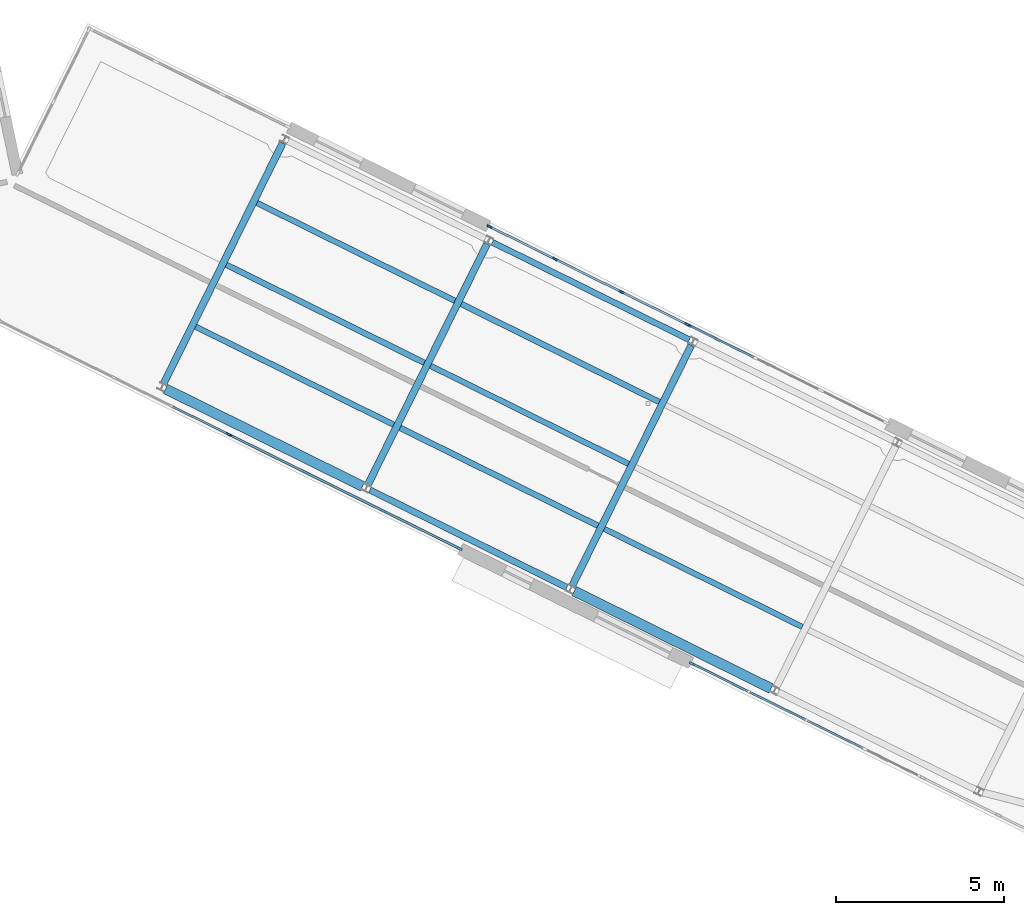
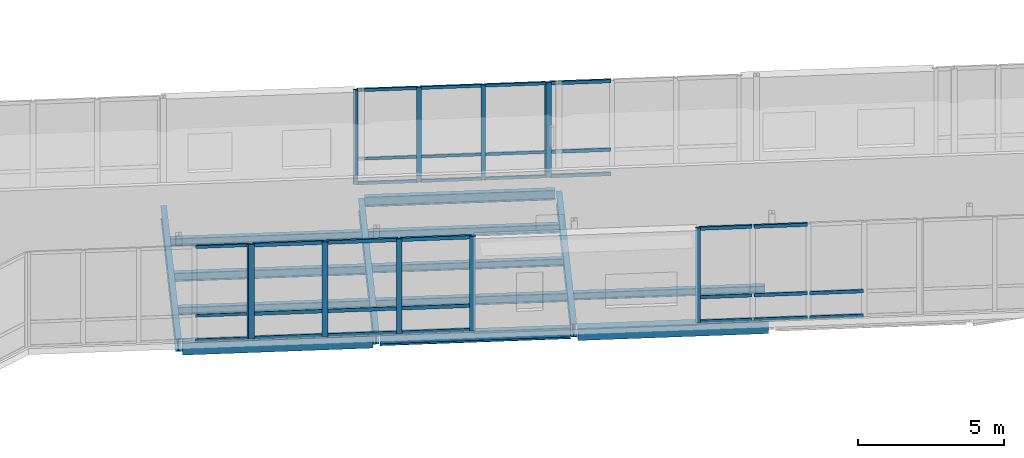
# One storey, part 66 of 125: 43 members, 14 beams, 5 elements without a shape of their own.
"""IFC4 building model written with IfcOpenShell, lengths in metres."""

from ifc_helpers import new_model, si_unit, direction, frame, origin, origin_2d, place, context, subcontext, project, spatial, rectangle, i_section, extrude, material, material_profile, profile_set, type_object, element, aggregate, save


model = new_model("IFC4")

# Units and contexts
model_context = context("Model", 3, precision=1e-05, world=origin(), true_north=direction((0.0, 1.0)))
body_context = subcontext(model_context, "Body", "Model", "MODEL_VIEW")
ifc_project = project(units=[si_unit("LENGTHUNIT", "METRE"), si_unit("AREAUNIT", "SQUARE_METRE"), si_unit("VOLUMEUNIT", "CUBIC_METRE"), si_unit("PLANEANGLEUNIT", "RADIAN"), si_unit("MASSUNIT", "GRAM", prefix="KILO")], contexts=[model_context])

# Site, building, storey
site_placement = place(None, origin())
site = spatial("IfcSite", under=ifc_project, at=site_placement, CompositionType="ELEMENT")
building_placement = place(site_placement, origin())
building = spatial("IfcBuilding", under=site, at=building_placement, Name="Wrenclough Park School", CompositionType="ELEMENT")
storey_placement = place(building_placement, frame((0.0, 0.0, 4.199951171875)))
storey = spatial("IfcBuildingStorey", under=building, at=storey_placement, Name="L01", CompositionType="ELEMENT", Elevation=4.199951171875)

# Curtain wall, members
ifc_material_1 = material(Name="Thermally broken aluminium and low-e glass curtain wall", Category="aluminium")
curtain_wall_type_1 = type_object("IfcCurtainWallType", Name="ENV-CW-16", PredefinedType="USERDEFINED", material=ifc_material_1)
curtain_wall_1_placement = place(storey_placement, origin())
curtain_wall_1 = element("IfcCurtainWall", 1, at=curtain_wall_1_placement, inside=storey, type_object=curtain_wall_type_1, Name="L01 recessed curtain wall assembly 111", ObjectType="CURTAIN WALL", PredefinedType="USERDEFINED")
ifc_material_2 = material(Name="Thermally broken anodised aluminium", Category="aluminium")
ifc_material_profile_1 = material_profile(ifc_material_2, rectangle(XDim=0.06005859375, YDim=0.159912109375, at=origin_2d()), Name="AL MULLION 60x160")
ifc_profile_set_1 = profile_set([ifc_material_profile_1], Name="Thermally broken anodised aluminium")
member_type_1 = type_object("IfcMemberType", Name="ENV-CWM-1", PredefinedType="MULLION", material=ifc_profile_set_1)
member_1_placement = place(storey_placement, frame((139.96533203125, 115.587890625, 0.0), z_axis=(0.0, 0.0, 1.0), x_axis=(0.443511318294, 0.896268771377, 0.0)))
member_1 = element("IfcMember", 2, at=member_1_placement, type_object=member_type_1, Name="CW-16 mullion 1", PredefinedType="MULLION", context=body_context, shape_type="SweptSolid", body=[
    extrude(rectangle(XDim=0.06005859375, YDim=0.159912109375, at=origin_2d()), origin(), (0.0, 0.0, 1.0), 3.93994140625),
])
member_2_placement = place(storey_placement, frame((141.909423828125, 114.625732421875, 0.0), z_axis=(0.0, 0.0, 1.0), x_axis=(0.443511318294, 0.896268771377, 0.0)))
member_2 = element("IfcMember", 3, at=member_2_placement, type_object=member_type_1, Name="CW-16 mullion 2", PredefinedType="MULLION", context=body_context, shape_type="SweptSolid", body=[
    extrude(rectangle(XDim=0.06005859375, YDim=0.159912109375, at=origin_2d()), origin(), (0.0, 0.0, 1.0), 3.93994140625),
])
member_3_placement = place(storey_placement, frame((143.880615234375, 113.650390625, 0.0), z_axis=(0.0, 0.0, 1.0), x_axis=(0.443511318294, 0.896268771377, 0.0)))
member_3 = element("IfcMember", 4, at=member_3_placement, type_object=member_type_1, Name="CW-16 mullion 3", PredefinedType="MULLION", context=body_context, shape_type="SweptSolid", body=[
    extrude(rectangle(XDim=0.06005859375, YDim=0.159912109375, at=origin_2d()), origin(), (0.0, 0.0, 1.0), 3.93994140625),
])
member_4_placement = place(storey_placement, frame((145.82470703125, 112.6884765625, 0.0), z_axis=(0.0, 0.0, 1.0), x_axis=(0.443511318294, 0.896268771377, 0.0)))
member_4 = element("IfcMember", 5, at=member_4_placement, type_object=member_type_1, Name="CW-16 mullion 4", PredefinedType="MULLION", context=body_context, shape_type="SweptSolid", body=[
    extrude(rectangle(XDim=0.06005859375, YDim=0.159912109375, at=origin_2d()), origin(), (0.0, 0.0, 1.0), 3.93994140625),
])

# Curtain wall, member
curtain_wall_type_2 = type_object("IfcCurtainWallType", Name="ENV-CW-03", PredefinedType="USERDEFINED", material=ifc_material_1)
curtain_wall_2_placement = place(storey_placement, origin())
curtain_wall_2 = element("IfcCurtainWall", 6, at=curtain_wall_2_placement, inside=storey, type_object=curtain_wall_type_2, Name="L01 recessed curtain wall assembly 162", ObjectType="CURTAIN WALL", PredefinedType="USERDEFINED")
member_5_placement = place(storey_placement, frame((132.21826171875, 109.42431640625, 0.0), z_axis=(0.0, 0.0, 1.0), x_axis=(-0.443514696909, -0.896267099488, 0.0)))
member_5 = element("IfcMember", 7, at=member_5_placement, type_object=member_type_1, Name="CW-03 mullion 1", PredefinedType="MULLION", context=body_context, shape_type="SweptSolid", body=[
    extrude(rectangle(XDim=0.06005859375, YDim=0.159912109375, at=origin_2d()), origin(), (0.0, 0.0, 1.0), 3.93994140625),
])

curtain_wall_type_3 = type_object("IfcCurtainWallType", Name="ENV-CW-01", PredefinedType="USERDEFINED", material=ifc_material_1)
curtain_wall_3_placement = place(storey_placement, origin())
curtain_wall_3 = element("IfcCurtainWall", 8, at=curtain_wall_3_placement, inside=storey, type_object=curtain_wall_type_3, Name="L01 recessed curtain wall assembly 112", ObjectType="CURTAIN WALL", PredefinedType="USERDEFINED")
ifc_material_profile_2 = material_profile(ifc_material_2, rectangle(XDim=0.06494140625, YDim=0.179931640625, at=origin_2d()), Name="AL MULLION 65x180")
ifc_profile_set_2 = profile_set([ifc_material_profile_2], Name="Thermally broken anodised aluminium")
member_type_2 = type_object("IfcMemberType", Name="ENV-CWM-2", PredefinedType="MULLION", material=ifc_profile_set_2)
member_6_placement = place(storey_placement, frame((145.887939453125, 112.656982421875, 0.0), z_axis=(0.0, 0.0, 1.0), x_axis=(0.443511318294, 0.896268771377, 0.0)))
member_6 = element("IfcMember", 9, at=member_6_placement, type_object=member_type_2, Name="CW-01 mullion 1", PredefinedType="MULLION", context=body_context, shape_type="SweptSolid", body=[
    extrude(rectangle(XDim=0.06494140625, YDim=0.179931640625, at=origin_2d()), origin(), (0.0, 0.0, 1.0), 3.93994140625),
])

curtain_wall_4_placement = place(storey_placement, origin())
curtain_wall_4 = element("IfcCurtainWall", 10, at=curtain_wall_4_placement, inside=storey, type_object=curtain_wall_type_3, Name="L01 recessed curtain wall assembly 160", ObjectType="CURTAIN WALL", PredefinedType="USERDEFINED")
member_7_placement = place(storey_placement, frame((145.976318359375, 102.616455078125, 0.0), z_axis=(0.0, 0.0, 1.0), x_axis=(-0.443504171144, -0.896272308051, 0.0)))
member_7 = element("IfcMember", 11, at=member_7_placement, type_object=member_type_2, Name="CW-01 mullion 5", PredefinedType="MULLION", context=body_context, shape_type="SweptSolid", body=[
    extrude(rectangle(XDim=0.06494140625, YDim=0.179931640625, at=origin_2d()), origin(), (0.0, 0.0, 1.0), 3.93994140625),
])

# Curtain wall, members
curtain_wall_type_4 = type_object("IfcCurtainWallType", Name="ENV-CW-02", PredefinedType="USERDEFINED", material=ifc_material_1)
curtain_wall_5_placement = place(storey_placement, origin())
curtain_wall_5 = element("IfcCurtainWall", 12, at=curtain_wall_5_placement, inside=storey, type_object=curtain_wall_type_4, Name="L01 recessed curtain wall assembly 161", ObjectType="CURTAIN WALL", PredefinedType="USERDEFINED")
ifc_material_profile_3 = material_profile(ifc_material_2, rectangle(XDim=0.070068359375, YDim=0.199951171875, at=origin_2d()), Name="AL MULLION 70x200")
ifc_profile_set_3 = profile_set([ifc_material_profile_3], Name="Thermally broken anodised aluminium")
member_type_3 = type_object("IfcMemberType", Name="ENV-CWM-3", PredefinedType="MULLION", material=ifc_profile_set_3)
member_8_placement = place(storey_placement, frame((139.06103515625, 106.038330078125, 0.0), z_axis=(0.0, 0.0, 1.0), x_axis=(-0.443504171144, -0.896272308051, 0.0)))
member_8 = element("IfcMember", 13, at=member_8_placement, type_object=member_type_3, Name="CW-02 mullion 1", PredefinedType="MULLION", context=body_context, shape_type="SweptSolid", body=[
    extrude(rectangle(XDim=0.070068359375, YDim=0.199951171875, at=origin_2d()), origin(), (0.0, 0.0, 1.0), 3.93994140625),
])
member_9_placement = place(storey_placement, frame((136.8125, 107.151123046875, 0.0), z_axis=(0.0, 0.0, 1.0), x_axis=(-0.443504171144, -0.896272308051, 0.0)))
member_9 = element("IfcMember", 14, at=member_9_placement, type_object=member_type_3, Name="CW-02 mullion 2", PredefinedType="MULLION", context=body_context, shape_type="SweptSolid", body=[
    extrude(rectangle(XDim=0.070068359375, YDim=0.199951171875, at=origin_2d()), origin(), (0.0, 0.0, 1.0), 3.93994140625),
])
member_10_placement = place(storey_placement, frame((134.532470703125, 108.279296875, 0.0), z_axis=(0.0, 0.0, 1.0), x_axis=(-0.443504171144, -0.896272308051, 0.0)))
member_10 = element("IfcMember", 15, at=member_10_placement, type_object=member_type_3, Name="CW-02 mullion 3", PredefinedType="MULLION", context=body_context, shape_type="SweptSolid", body=[
    extrude(rectangle(XDim=0.070068359375, YDim=0.199951171875, at=origin_2d()), origin(), (0.0, 0.0, 1.0), 3.93994140625),
])
member_11_placement = place(storey_placement, frame((132.28369140625, 109.39208984375, 0.0), z_axis=(0.0, 0.0, 1.0), x_axis=(-0.443504171144, -0.896272308051, 0.0)))
member_11 = element("IfcMember", 16, at=member_11_placement, type_object=member_type_3, Name="CW-02 mullion 4", PredefinedType="MULLION", context=body_context, shape_type="SweptSolid", body=[
    extrude(rectangle(XDim=0.070068359375, YDim=0.199951171875, at=origin_2d()), origin(), (0.0, 0.0, 1.0), 3.93994140625),
])

# Member
ifc_material_profile_4 = material_profile(ifc_material_2, rectangle(XDim=0.06005859375, YDim=0.1201171875, at=origin_2d()), Name="AL TRANSOM 60x120")
ifc_profile_set_4 = profile_set([ifc_material_profile_4], Name="Thermally broken anodised aluminium")
member_type_4 = type_object("IfcMemberType", Name="ENV-CWT-1", PredefinedType="USERDEFINED", material=ifc_profile_set_4)
member_12_placement = place(storey_placement, frame((139.9921875, 115.574462890625, 0.030029296875), z_axis=(0.896294566323, -0.443459186825, 0.0), x_axis=(0.443459186825, 0.896294566323, 0.0)))
member_12 = element("IfcMember", 17, at=member_12_placement, type_object=member_type_4, Name="CW-16 transom 1.1", ObjectType="TRANSOM", PredefinedType="USERDEFINED", context=body_context, shape_type="SweptSolid", body=[
    extrude(rectangle(XDim=0.06005859375, YDim=0.1201171875, at=origin_2d()), origin(), (0.0, 0.0, 1.0), 2.109130859375),
])

member_13_placement = place(storey_placement, frame((139.9921875, 115.574462890625, 1.050048828125), z_axis=(0.896294566323, -0.443459186825, 0.0), x_axis=(0.443459186825, 0.896294566323, 0.0)))
member_13 = element("IfcMember", 18, at=member_13_placement, type_object=member_type_4, Name="CW-16 transom 1.2", ObjectType="TRANSOM", PredefinedType="USERDEFINED", context=body_context, shape_type="SweptSolid", body=[
    extrude(rectangle(XDim=0.06005859375, YDim=0.1201171875, at=origin_2d()), origin(), (0.0, 0.0, 1.0), 2.109130859375),
])

member_14_placement = place(storey_placement, frame((139.9921875, 115.574462890625, 3.91015625), z_axis=(0.896294566323, -0.443459186825, 0.0), x_axis=(0.443459186825, 0.896294566323, 0.0)))
member_14 = element("IfcMember", 19, at=member_14_placement, type_object=member_type_4, Name="CW-16 transom 1.3", ObjectType="TRANSOM", PredefinedType="USERDEFINED", context=body_context, shape_type="SweptSolid", body=[
    extrude(rectangle(XDim=0.06005859375, YDim=0.1201171875, at=origin_2d()), origin(), (0.0, 0.0, 1.0), 2.109130859375),
])

member_15_placement = place(storey_placement, frame((141.936279296875, 114.612548828125, 0.030029296875), z_axis=(0.896268464478, -0.44351193849, 0.0), x_axis=(0.44351193849, 0.896268464478, 0.0)))
member_15 = element("IfcMember", 20, at=member_15_placement, type_object=member_type_4, Name="CW-16 transom 2.1", ObjectType="TRANSOM", PredefinedType="USERDEFINED", context=body_context, shape_type="SweptSolid", body=[
    extrude(rectangle(XDim=0.06005859375, YDim=0.1201171875, at=origin_2d()), origin(), (0.0, 0.0, 1.0), 2.13916015625),
])

member_16_placement = place(storey_placement, frame((141.936279296875, 114.612548828125, 1.050048828125), z_axis=(0.896268464478, -0.44351193849, 0.0), x_axis=(0.44351193849, 0.896268464478, 0.0)))
member_16 = element("IfcMember", 21, at=member_16_placement, type_object=member_type_4, Name="CW-16 transom 2.2", ObjectType="TRANSOM", PredefinedType="USERDEFINED", context=body_context, shape_type="SweptSolid", body=[
    extrude(rectangle(XDim=0.06005859375, YDim=0.1201171875, at=origin_2d()), origin(), (0.0, 0.0, 1.0), 2.13916015625),
])

member_17_placement = place(storey_placement, frame((141.936279296875, 114.612548828125, 3.91015625), z_axis=(0.896268464478, -0.44351193849, 0.0), x_axis=(0.44351193849, 0.896268464478, 0.0)))
member_17 = element("IfcMember", 22, at=member_17_placement, type_object=member_type_4, Name="CW-16 transom 2.3", ObjectType="TRANSOM", PredefinedType="USERDEFINED", context=body_context, shape_type="SweptSolid", body=[
    extrude(rectangle(XDim=0.06005859375, YDim=0.1201171875, at=origin_2d()), origin(), (0.0, 0.0, 1.0), 2.13916015625),
])

member_18_placement = place(storey_placement, frame((143.907470703125, 113.63720703125, 0.030029296875), z_axis=(0.896225778595, -0.44359818956, 0.0), x_axis=(0.44359818956, 0.896225778595, 0.0)))
member_18 = element("IfcMember", 23, at=member_18_placement, type_object=member_type_4, Name="CW-16 transom 3.1", ObjectType="TRANSOM", PredefinedType="USERDEFINED", context=body_context, shape_type="SweptSolid", body=[
    extrude(rectangle(XDim=0.06005859375, YDim=0.1201171875, at=origin_2d()), origin(), (0.0, 0.0, 1.0), 2.10888671875),
])

member_19_placement = place(storey_placement, frame((143.907470703125, 113.63720703125, 1.050048828125), z_axis=(0.896225778595, -0.44359818956, 0.0), x_axis=(0.44359818956, 0.896225778595, 0.0)))
member_19 = element("IfcMember", 24, at=member_19_placement, type_object=member_type_4, Name="CW-16 transom 3.2", ObjectType="TRANSOM", PredefinedType="USERDEFINED", context=body_context, shape_type="SweptSolid", body=[
    extrude(rectangle(XDim=0.06005859375, YDim=0.1201171875, at=origin_2d()), origin(), (0.0, 0.0, 1.0), 2.10888671875),
])

member_20_placement = place(storey_placement, frame((143.907470703125, 113.63720703125, 3.91015625), z_axis=(0.896225778595, -0.44359818956, 0.0), x_axis=(0.44359818956, 0.896225778595, 0.0)))
member_20 = element("IfcMember", 25, at=member_20_placement, type_object=member_type_4, Name="CW-16 transom 3.3", ObjectType="TRANSOM", PredefinedType="USERDEFINED", context=body_context, shape_type="SweptSolid", body=[
    extrude(rectangle(XDim=0.06005859375, YDim=0.1201171875, at=origin_2d()), origin(), (0.0, 0.0, 1.0), 2.10888671875),
])

aggregate(curtain_wall_1, [member_1, member_2, member_3, member_4, member_12, member_13, member_14, member_15, member_16, member_17, member_18, member_19, member_20])

member_21_placement = place(storey_placement, frame((132.19140625, 109.437744140625, 0.030029296875), z_axis=(-0.896299447118, 0.443449321903, 0.0), x_axis=(-0.443449321903, -0.896299447118, 0.0)))
member_21 = element("IfcMember", 26, at=member_21_placement, type_object=member_type_4, Name="CW-03 transom 1.1", ObjectType="TRANSOM", PredefinedType="USERDEFINED", context=body_context, shape_type="SweptSolid", body=[
    extrude(rectangle(XDim=0.06005859375, YDim=0.1201171875, at=origin_2d()), origin(), (0.0, 0.0, 1.0), 1.81787109375),
])

member_22_placement = place(storey_placement, frame((132.19140625, 109.437744140625, 1.050048828125), z_axis=(-0.896299447118, 0.443449321903, 0.0), x_axis=(-0.443449321903, -0.896299447118, 0.0)))
member_22 = element("IfcMember", 27, at=member_22_placement, type_object=member_type_4, Name="CW-03 transom 1.2", ObjectType="TRANSOM", PredefinedType="USERDEFINED", context=body_context, shape_type="SweptSolid", body=[
    extrude(rectangle(XDim=0.06005859375, YDim=0.1201171875, at=origin_2d()), origin(), (0.0, 0.0, 1.0), 1.81787109375),
])

member_23_placement = place(storey_placement, frame((132.19140625, 109.437744140625, 3.91015625), z_axis=(-0.896299447118, 0.443449321903, 0.0), x_axis=(-0.443449321903, -0.896299447118, 0.0)))
member_23 = element("IfcMember", 28, at=member_23_placement, type_object=member_type_4, Name="CW-03 transom 1.3", ObjectType="TRANSOM", PredefinedType="USERDEFINED", context=body_context, shape_type="SweptSolid", body=[
    extrude(rectangle(XDim=0.06005859375, YDim=0.1201171875, at=origin_2d()), origin(), (0.0, 0.0, 1.0), 1.81787109375),
])

aggregate(curtain_wall_2, [member_5, member_21, member_22, member_23])

ifc_material_profile_5 = material_profile(ifc_material_2, rectangle(XDim=0.06494140625, YDim=0.139892578125, at=origin_2d()), Name="AL TRANSOM 65x140")
ifc_profile_set_5 = profile_set([ifc_material_profile_5], Name="Thermally broken anodised aluminium")
member_type_5 = type_object("IfcMemberType", Name="ENV-CWT-2", PredefinedType="USERDEFINED", material=ifc_profile_set_5)
member_24_placement = place(storey_placement, frame((145.9169921875, 112.642578125, 0.032470703125), z_axis=(0.896301329016, -0.443445518192, 0.0), x_axis=(0.443445518192, 0.896301329016, 0.0)))
member_24 = element("IfcMember", 29, at=member_24_placement, type_object=member_type_5, Name="CW-01 transom 1.1", ObjectType="TRANSOM", PredefinedType="USERDEFINED", context=body_context, shape_type="SweptSolid", body=[
    extrude(rectangle(XDim=0.06494140625, YDim=0.139892578125, at=origin_2d()), origin(), (0.0, 0.0, 1.0), 2.1015625),
])

member_25_placement = place(storey_placement, frame((145.9169921875, 112.642578125, 1.050048828125), z_axis=(0.896301329016, -0.443445518192, 0.0), x_axis=(0.443445518192, 0.896301329016, 0.0)))
member_25 = element("IfcMember", 30, at=member_25_placement, type_object=member_type_5, Name="CW-01 transom 1.2", ObjectType="TRANSOM", PredefinedType="USERDEFINED", context=body_context, shape_type="SweptSolid", body=[
    extrude(rectangle(XDim=0.06494140625, YDim=0.139892578125, at=origin_2d()), origin(), (0.0, 0.0, 1.0), 2.1015625),
])

member_26_placement = place(storey_placement, frame((145.9169921875, 112.642578125, 3.907470703125), z_axis=(0.896301329016, -0.443445518192, 0.0), x_axis=(0.443445518192, 0.896301329016, 0.0)))
member_26 = element("IfcMember", 31, at=member_26_placement, type_object=member_type_5, Name="CW-01 transom 1.3", ObjectType="TRANSOM", PredefinedType="USERDEFINED", context=body_context, shape_type="SweptSolid", body=[
    extrude(rectangle(XDim=0.06494140625, YDim=0.139892578125, at=origin_2d()), origin(), (0.0, 0.0, 1.0), 2.1015625),
])

aggregate(curtain_wall_3, [member_6, member_24, member_25, member_26])

member_27_placement = place(storey_placement, frame((151.048095703125, 100.106689453125, 0.032470703125), z_axis=(-0.896274043196, 0.443500664591, 0.0), x_axis=(-0.443500664591, -0.896274043196, 0.0)))
member_27 = element("IfcMember", 32, at=member_27_placement, type_object=member_type_5, Name="CW-01 transom 2.1", ObjectType="TRANSOM", PredefinedType="USERDEFINED", context=body_context, shape_type="SweptSolid", body=[
    extrude(rectangle(XDim=0.06494140625, YDim=0.139892578125, at=origin_2d()), origin(), (0.0, 0.0, 1.0), 1.843017578125),
])

member_28_placement = place(storey_placement, frame((151.048095703125, 100.106689453125, 1.050048828125), z_axis=(-0.896274043196, 0.443500664591, 0.0), x_axis=(-0.443500664591, -0.896274043196, 0.0)))
member_28 = element("IfcMember", 33, at=member_28_placement, type_object=member_type_5, Name="CW-01 transom 2.2", ObjectType="TRANSOM", PredefinedType="USERDEFINED", context=body_context, shape_type="SweptSolid", body=[
    extrude(rectangle(XDim=0.06494140625, YDim=0.139892578125, at=origin_2d()), origin(), (0.0, 0.0, 1.0), 1.843017578125),
])

member_29_placement = place(storey_placement, frame((149.338134765625, 100.952880859375, 0.032470703125), z_axis=(-0.896274043196, 0.443500664591, 0.0), x_axis=(-0.443500664591, -0.896274043196, 0.0)))
member_29 = element("IfcMember", 34, at=member_29_placement, type_object=member_type_5, Name="CW-01 transom 3.1", ObjectType="TRANSOM", PredefinedType="USERDEFINED", context=body_context, shape_type="SweptSolid", body=[
    extrude(rectangle(XDim=0.06494140625, YDim=0.139892578125, at=origin_2d()), origin(), (0.0, 0.0, 1.0), 1.843017578125),
])

member_30_placement = place(storey_placement, frame((149.338134765625, 100.952880859375, 1.050048828125), z_axis=(-0.896274043196, 0.443500664591, 0.0), x_axis=(-0.443500664591, -0.896274043196, 0.0)))
member_30 = element("IfcMember", 35, at=member_30_placement, type_object=member_type_5, Name="CW-01 transom 3.2", ObjectType="TRANSOM", PredefinedType="USERDEFINED", context=body_context, shape_type="SweptSolid", body=[
    extrude(rectangle(XDim=0.06494140625, YDim=0.139892578125, at=origin_2d()), origin(), (0.0, 0.0, 1.0), 1.843017578125),
])

member_31_placement = place(storey_placement, frame((149.338134765625, 100.952880859375, 3.907470703125), z_axis=(-0.896274043196, 0.443500664591, 0.0), x_axis=(-0.443500664591, -0.896274043196, 0.0)))
member_31 = element("IfcMember", 36, at=member_31_placement, type_object=member_type_5, Name="CW-01 transom 3.3", ObjectType="TRANSOM", PredefinedType="USERDEFINED", context=body_context, shape_type="SweptSolid", body=[
    extrude(rectangle(XDim=0.06494140625, YDim=0.139892578125, at=origin_2d()), origin(), (0.0, 0.0, 1.0), 1.843017578125),
])

member_32_placement = place(storey_placement, frame((147.6279296875, 101.799072265625, 0.032470703125), z_axis=(-0.896253712582, 0.443541748523, 0.0), x_axis=(-0.443541748523, -0.896253712582, 0.0)))
member_32 = element("IfcMember", 37, at=member_32_placement, type_object=member_type_5, Name="CW-01 transom 4.1", ObjectType="TRANSOM", PredefinedType="USERDEFINED", context=body_context, shape_type="SweptSolid", body=[
    extrude(rectangle(XDim=0.06494140625, YDim=0.139892578125, at=origin_2d()), origin(), (0.0, 0.0, 1.0), 1.810302734375),
])

member_33_placement = place(storey_placement, frame((147.6279296875, 101.799072265625, 1.050048828125), z_axis=(-0.896253712582, 0.443541748523, 0.0), x_axis=(-0.443541748523, -0.896253712582, 0.0)))
member_33 = element("IfcMember", 38, at=member_33_placement, type_object=member_type_5, Name="CW-01 transom 4.2", ObjectType="TRANSOM", PredefinedType="USERDEFINED", context=body_context, shape_type="SweptSolid", body=[
    extrude(rectangle(XDim=0.06494140625, YDim=0.139892578125, at=origin_2d()), origin(), (0.0, 0.0, 1.0), 1.810302734375),
])

member_34_placement = place(storey_placement, frame((147.6279296875, 101.799072265625, 3.907470703125), z_axis=(-0.896253712582, 0.443541748523, 0.0), x_axis=(-0.443541748523, -0.896253712582, 0.0)))
member_34 = element("IfcMember", 39, at=member_34_placement, type_object=member_type_5, Name="CW-01 transom 4.3", ObjectType="TRANSOM", PredefinedType="USERDEFINED", context=body_context, shape_type="SweptSolid", body=[
    extrude(rectangle(XDim=0.06494140625, YDim=0.139892578125, at=origin_2d()), origin(), (0.0, 0.0, 1.0), 1.810302734375),
])

aggregate(curtain_wall_4, [member_7, member_27, member_28, member_29, member_30, member_31, member_32, member_33, member_34])

ifc_material_profile_6 = material_profile(ifc_material_2, rectangle(XDim=0.070068359375, YDim=0.14990234375, at=origin_2d()), Name="AL TRANSOM 70x150")
ifc_profile_set_6 = profile_set([ifc_material_profile_6], Name="Thermally broken anodised aluminium")
member_type_6 = type_object("IfcMemberType", Name="ENV-CWT-3", PredefinedType="USERDEFINED", material=ifc_profile_set_6)
member_35_placement = place(storey_placement, frame((139.02978515625, 106.053955078125, 0.03515625), z_axis=(-0.896301163992, 0.443445851741, 0.0), x_axis=(-0.443445851741, -0.896301163992, 0.0)))
member_35 = element("IfcMember", 40, at=member_35_placement, type_object=member_type_6, Name="CW-02 transom 1.1", ObjectType="TRANSOM", PredefinedType="USERDEFINED", context=body_context, shape_type="SweptSolid", body=[
    extrude(rectangle(XDim=0.070068359375, YDim=0.14990234375, at=origin_2d()), origin(), (0.0, 0.0, 1.0), 2.43896484375),
])

member_36_placement = place(storey_placement, frame((139.02978515625, 106.053955078125, 1.050048828125), z_axis=(-0.896301163992, 0.443445851741, 0.0), x_axis=(-0.443445851741, -0.896301163992, 0.0)))
member_36 = element("IfcMember", 41, at=member_36_placement, type_object=member_type_6, Name="CW-02 transom 1.2", ObjectType="TRANSOM", PredefinedType="USERDEFINED", context=body_context, shape_type="SweptSolid", body=[
    extrude(rectangle(XDim=0.070068359375, YDim=0.14990234375, at=origin_2d()), origin(), (0.0, 0.0, 1.0), 2.43896484375),
])

member_37_placement = place(storey_placement, frame((139.02978515625, 106.053955078125, 3.905029296875), z_axis=(-0.896301163992, 0.443445851741, 0.0), x_axis=(-0.443445851741, -0.896301163992, 0.0)))
member_37 = element("IfcMember", 42, at=member_37_placement, type_object=member_type_6, Name="CW-02 transom 1.3", ObjectType="TRANSOM", PredefinedType="USERDEFINED", context=body_context, shape_type="SweptSolid", body=[
    extrude(rectangle(XDim=0.070068359375, YDim=0.14990234375, at=origin_2d()), origin(), (0.0, 0.0, 1.0), 2.43896484375),
])

member_38_placement = place(storey_placement, frame((136.781005859375, 107.16650390625, 0.03515625), z_axis=(-0.896274808504, 0.443499117971, 0.0), x_axis=(-0.443499117971, -0.896274808504, 0.0)))
member_38 = element("IfcMember", 43, at=member_38_placement, type_object=member_type_6, Name="CW-02 transom 2.1", ObjectType="TRANSOM", PredefinedType="USERDEFINED", context=body_context, shape_type="SweptSolid", body=[
    extrude(rectangle(XDim=0.070068359375, YDim=0.14990234375, at=origin_2d()), origin(), (0.0, 0.0, 1.0), 2.473876953125),
])

member_39_placement = place(storey_placement, frame((136.781005859375, 107.16650390625, 1.050048828125), z_axis=(-0.896274808504, 0.443499117971, 0.0), x_axis=(-0.443499117971, -0.896274808504, 0.0)))
member_39 = element("IfcMember", 44, at=member_39_placement, type_object=member_type_6, Name="CW-02 transom 2.2", ObjectType="TRANSOM", PredefinedType="USERDEFINED", context=body_context, shape_type="SweptSolid", body=[
    extrude(rectangle(XDim=0.070068359375, YDim=0.14990234375, at=origin_2d()), origin(), (0.0, 0.0, 1.0), 2.473876953125),
])

member_40_placement = place(storey_placement, frame((136.781005859375, 107.16650390625, 3.905029296875), z_axis=(-0.896274808504, 0.443499117971, 0.0), x_axis=(-0.443499117971, -0.896274808504, 0.0)))
member_40 = element("IfcMember", 45, at=member_40_placement, type_object=member_type_6, Name="CW-02 transom 2.3", ObjectType="TRANSOM", PredefinedType="USERDEFINED", context=body_context, shape_type="SweptSolid", body=[
    extrude(rectangle(XDim=0.070068359375, YDim=0.14990234375, at=origin_2d()), origin(), (0.0, 0.0, 1.0), 2.473876953125),
])

member_41_placement = place(storey_placement, frame((134.5009765625, 108.294677734375, 0.03515625), z_axis=(-0.896241682917, 0.443566055736, 0.0), x_axis=(-0.443566055736, -0.896241682917, 0.0)))
member_41 = element("IfcMember", 46, at=member_41_placement, type_object=member_type_6, Name="CW-02 transom 3.1", ObjectType="TRANSOM", PredefinedType="USERDEFINED", context=body_context, shape_type="SweptSolid", body=[
    extrude(rectangle(XDim=0.070068359375, YDim=0.14990234375, at=origin_2d()), origin(), (0.0, 0.0, 1.0), 2.438720703125),
])

member_42_placement = place(storey_placement, frame((134.5009765625, 108.294677734375, 1.050048828125), z_axis=(-0.896241682917, 0.443566055736, 0.0), x_axis=(-0.443566055736, -0.896241682917, 0.0)))
member_42 = element("IfcMember", 47, at=member_42_placement, type_object=member_type_6, Name="CW-02 transom 3.2", ObjectType="TRANSOM", PredefinedType="USERDEFINED", context=body_context, shape_type="SweptSolid", body=[
    extrude(rectangle(XDim=0.070068359375, YDim=0.14990234375, at=origin_2d()), origin(), (0.0, 0.0, 1.0), 2.438720703125),
])

member_43_placement = place(storey_placement, frame((134.5009765625, 108.294677734375, 3.905029296875), z_axis=(-0.896241682917, 0.443566055736, 0.0), x_axis=(-0.443566055736, -0.896241682917, 0.0)))
member_43 = element("IfcMember", 48, at=member_43_placement, type_object=member_type_6, Name="CW-02 transom 3.3", ObjectType="TRANSOM", PredefinedType="USERDEFINED", context=body_context, shape_type="SweptSolid", body=[
    extrude(rectangle(XDim=0.070068359375, YDim=0.14990234375, at=origin_2d()), origin(), (0.0, 0.0, 1.0), 2.438720703125),
])

aggregate(curtain_wall_5, [member_8, member_9, member_10, member_11, member_35, member_36, member_37, member_38, member_39, member_40, member_41, member_42, member_43])

# Beams
ifc_material_3 = material(Name="Concrete C32/40", Category="concrete")
ifc_material_profile_7 = material_profile(ifc_material_3, rectangle(XDim=0.300048828125, YDim=0.5, at=origin_2d()), Name="RC BEAM 300x500")
ifc_profile_set_7 = profile_set([ifc_material_profile_7], Name="Concrete C32/40")
beam_type_1 = type_object("IfcBeamType", Name="STR-BM-RC300", PredefinedType="BEAM", material=ifc_profile_set_7)
for number, where, z_axis, x_axis, name in (
    (49, (130.353515625, 110.77099609375, -0.5), (0.896269370502, -0.443510107551, 0.0), (0.443510107551, 0.896269370502, 0.0), "W45 L01 longitudinal edge beam R1"),
    (50, (142.478515625, 104.77099609375, -0.5), (0.896269370502, -0.443510107551, 0.0), (0.443510107551, 0.896269370502, 0.0), "W45 L01 longitudinal edge beam R3"),
):
    element("IfcBeam", number, at=place(storey_placement, frame(where, z_axis=z_axis, x_axis=x_axis)), inside=storey, type_object=beam_type_1, Name=name, PredefinedType="BEAM", context=body_context, shape_type="SweptSolid", body=[
        extrude(rectangle(XDim=0.300048828125, YDim=0.5, at=origin_2d()), origin(), (0.0, 0.0, 1.0), 6.519775390625),
    ])
ifc_material_4 = material(Name="Structural steel S355", Category="steel")
ifc_material_profile_8 = material_profile(ifc_material_4, i_section(OverallWidth=0.1650390625, OverallDepth=0.303466796875, WebThickness=0.006103515625, FlangeThickness=0.01025390625, FilletRadius=0.0087890625, at=origin_2d()), Name="UKB 305x165x40")
ifc_profile_set_8 = profile_set([ifc_material_profile_8], Name="Structural steel S355")
beam_type_2 = type_object("IfcBeamType", Name="STR-BM-UKB305", PredefinedType="JOIST", material=ifc_profile_set_8)
for number, where, z_axis, x_axis, name in (
    (51, (133.0654296875, 116.291015625, -0.401611328125), (0.896266918537, -0.443515062581, 0.0), (0.443515062581, 0.896266918537, 0.0), "W45 L01 secondary floor joist 0097"),
    (52, (131.2470703125, 112.6162109375, -0.401611328125), (0.896266918537, -0.443515062581, 0.0), (0.443515062581, 0.896266918537, 0.0), "W45 L01 secondary floor joist 0099"),
    (53, (138.21875, 111.45361328125, -0.401611328125), (0.896266918537, -0.443515062581, 0.0), (0.443515062581, 0.896266918537, 0.0), "W45 L01 secondary floor joist 0101"),
    (54, (143.3720703125, 106.6162109375, -0.401611328125), (0.896266918537, -0.443515062581, 0.0), (0.443515062581, 0.896266918537, 0.0), "W45 L01 secondary floor joist 0105"),
):
    element("IfcBeam", number, at=place(storey_placement, frame(where, z_axis=z_axis, x_axis=x_axis)), inside=storey, type_object=beam_type_2, Name=name, PredefinedType="JOIST", context=body_context, shape_type="SweptSolid", body=[
        extrude(i_section(OverallWidth=0.1650390625, OverallDepth=0.303466796875, WebThickness=0.006103515625, FlangeThickness=0.01025390625, FilletRadius=0.0087890625, at=origin_2d()), origin(), (0.0, 0.0, 1.0), 6.554931640625),
    ])
ifc_material_profile_9 = material_profile(ifc_material_4, i_section(OverallWidth=0.17138671875, OverallDepth=0.35498046875, WebThickness=0.00732421875, FlangeThickness=0.011474609375, FilletRadius=0.01025390625, at=origin_2d()), Name="UKB 356x171x51")
ifc_profile_set_9 = profile_set([ifc_material_profile_9], Name="Structural steel S355")
beam_type_3 = type_object("IfcBeamType", Name="STR-BM-UKB356", PredefinedType="JOIST", material=ifc_profile_set_9)
for number, where, z_axis, x_axis, name in (
    (55, (132.15625, 114.45361328125, -0.427490234375), (0.896266918537, -0.443515062581, 0.0), (0.443515062581, 0.896266918537, 0.0), "W45 L01 secondary floor joist 0098"),
    (56, (139.1279296875, 113.291015625, -0.427490234375), (0.896266918537, -0.443515062581, 0.0), (0.443515062581, 0.896266918537, 0.0), "W45 L01 secondary floor joist 0100"),
    (57, (137.3095703125, 109.6162109375, -0.427490234375), (0.896266918537, -0.443515062581, 0.0), (0.443515062581, 0.896266918537, 0.0), "W45 L01 secondary floor joist 0102"),
):
    element("IfcBeam", number, at=place(storey_placement, frame(where, z_axis=z_axis, x_axis=x_axis)), inside=storey, type_object=beam_type_3, Name=name, PredefinedType="JOIST", context=body_context, shape_type="SweptSolid", body=[
        extrude(i_section(OverallWidth=0.17138671875, OverallDepth=0.35498046875, WebThickness=0.00732421875, FlangeThickness=0.011474609375, FilletRadius=0.01025390625, at=origin_2d()), origin(), (0.0, 0.0, 1.0), 6.554931640625),
    ])
ifc_material_profile_10 = material_profile(ifc_material_4, i_section(OverallWidth=0.177978515625, OverallDepth=0.406494140625, WebThickness=0.0078125, FlangeThickness=0.0126953125, FilletRadius=0.01025390625, at=origin_2d()), Name="UKB 406x178x60")
ifc_profile_set_10 = profile_set([ifc_material_profile_10], Name="Structural steel S355")
beam_type_4 = type_object("IfcBeamType", Name="STR-BM-UKB406", PredefinedType="BEAM", material=ifc_profile_set_10)
beam_1_placement = place(storey_placement, frame((140.052978515625, 115.12060546875, -0.453125), z_axis=(0.896269370502, -0.443510107551, 0.0), x_axis=(0.443510107551, 0.896269370502, 0.0)))
element("IfcBeam", 58, at=beam_1_placement, inside=storey, type_object=beam_type_4, Name="W45 L01 longitudinal edge beam L2", PredefinedType="BEAM", context=body_context, shape_type="SweptSolid", body=[
    extrude(i_section(OverallWidth=0.177978515625, OverallDepth=0.406494140625, WebThickness=0.0078125, FlangeThickness=0.0126953125, FilletRadius=0.01025390625, at=origin_2d()), origin(), (0.0, 0.0, 1.0), 6.519775390625),
])
ifc_material_profile_11 = material_profile(ifc_material_4, i_section(OverallWidth=0.18994140625, OverallDepth=0.453369140625, WebThickness=0.008544921875, FlangeThickness=0.0126953125, FilletRadius=0.01025390625, at=origin_2d()), Name="UKB 457x191x67")
ifc_profile_set_11 = profile_set([ifc_material_profile_11], Name="Structural steel S355")
beam_type_5 = type_object("IfcBeamType", Name="STR-BM-UKB457A", PredefinedType="BEAM", material=ifc_profile_set_11)
beam_2_placement = place(storey_placement, frame((136.416015625, 107.77099609375, -0.4765625), z_axis=(0.896269370502, -0.443510107551, 0.0), x_axis=(0.443510107551, 0.896269370502, 0.0)))
element("IfcBeam", 59, at=beam_2_placement, inside=storey, type_object=beam_type_5, Name="W45 L01 longitudinal edge beam R2", PredefinedType="BEAM", context=body_context, shape_type="SweptSolid", body=[
    extrude(i_section(OverallWidth=0.18994140625, OverallDepth=0.453369140625, WebThickness=0.008544921875, FlangeThickness=0.0126953125, FilletRadius=0.01025390625, at=origin_2d()), origin(), (0.0, 0.0, 1.0), 6.519775390625),
])
ifc_material_profile_12 = material_profile(ifc_material_4, i_section(OverallWidth=0.209228515625, OverallDepth=0.533203125, WebThickness=0.010009765625, FlangeThickness=0.015625, FilletRadius=0.0126953125, at=origin_2d()), Name="UKB 533x210x92")
ifc_profile_set_12 = profile_set([ifc_material_profile_12], Name="Structural steel S355")
beam_type_6 = type_object("IfcBeamType", Name="STR-BM-UKB533A", PredefinedType="BEAM", material=ifc_profile_set_12)
for number, where, z_axis, x_axis, name in (
    (60, (133.82666015625, 118.065185546875, -0.516357421875), (-0.44350264665, -0.896273062417, 0.0), (0.896273062417, -0.44350264665, 0.0), "W45 L01 transverse floor beam 1"),
    (61, (139.88916015625, 115.065185546875, -0.516357421875), (-0.44350264665, -0.896273062417, 0.0), (0.896273062417, -0.44350264665, 0.0), "W45 L01 transverse floor beam 2"),
    (62, (145.95166015625, 112.065185546875, -0.516357421875), (-0.44350264665, -0.896273062417, 0.0), (0.896273062417, -0.44350264665, 0.0), "W45 L01 transverse floor beam 3"),
):
    element("IfcBeam", number, at=place(storey_placement, frame(where, z_axis=z_axis, x_axis=x_axis)), inside=storey, type_object=beam_type_6, Name=name, PredefinedType="BEAM", context=body_context, shape_type="SweptSolid", body=[
        extrude(i_section(OverallWidth=0.209228515625, OverallDepth=0.533203125, WebThickness=0.010009765625, FlangeThickness=0.015625, FilletRadius=0.0126953125, at=origin_2d()), origin(), (0.0, 0.0, 1.0), 7.95556640625),
    ])

save(model, "model.ifc")
